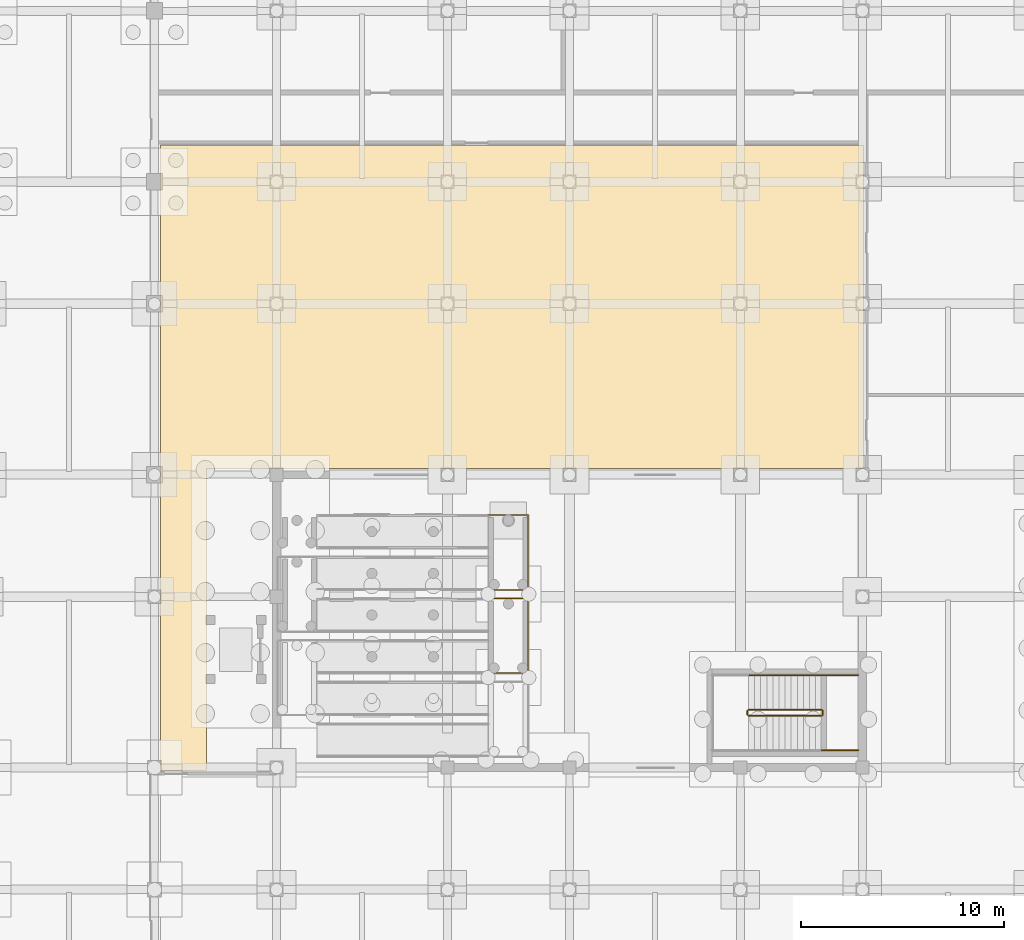
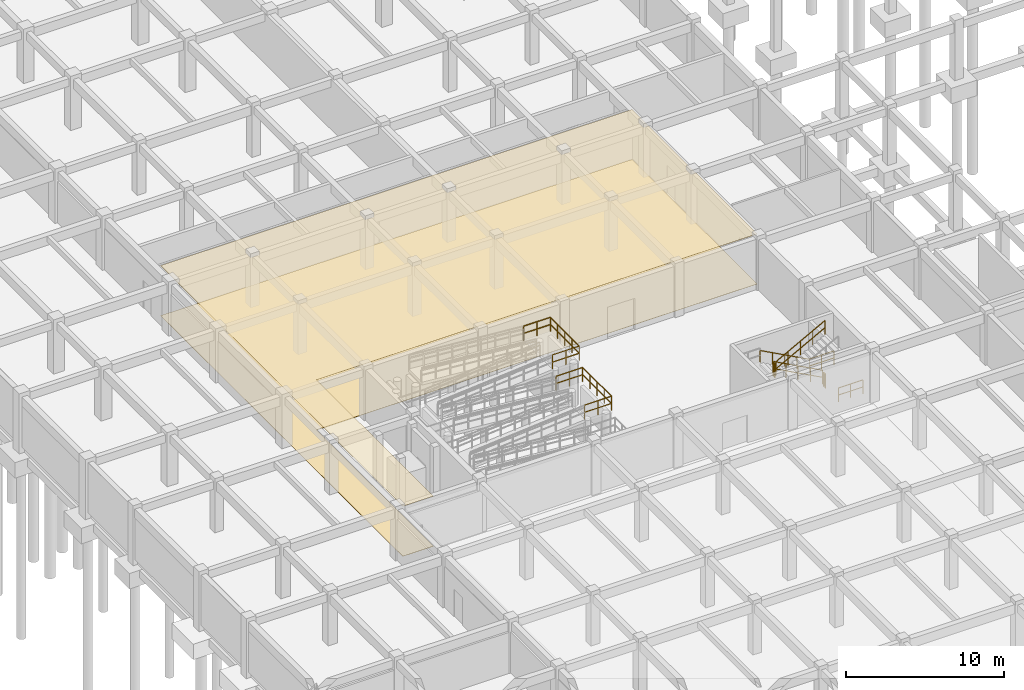
# One storey, part 36 of 40: 9 railings, 2 coverings.
"""IFC4 building model written with IfcOpenShell, lengths in metres."""

from ifc_helpers import new_model, si_unit, direction, frame, origin, origin_2d, place, context, subcontext, project, spatial, polyline, rectangle, outline, extrude, material, layer, layer_set, type_object, element, save


model = new_model("IFC4")

# Units and contexts
model_context = context("Model", 3, precision=1e-05, world=origin(), true_north=direction((0.0, 1.0)))
body_context = subcontext(model_context, "Body", "Model", "MODEL_VIEW")
ifc_project = project(units=[si_unit("LENGTHUNIT", "METRE"), si_unit("AREAUNIT", "SQUARE_METRE"), si_unit("VOLUMEUNIT", "CUBIC_METRE"), si_unit("PLANEANGLEUNIT", "RADIAN"), si_unit("MASSUNIT", "GRAM", prefix="KILO"), si_unit("THERMODYNAMICTEMPERATUREUNIT", "KELVIN")], contexts=[model_context])

# Site, building, storey
site_placement = place(None, origin())
site = spatial("IfcSite", under=ifc_project, at=site_placement, CompositionType="ELEMENT")
building_placement = place(site_placement, origin())
building = spatial("IfcBuilding", under=site, at=building_placement, Name="Thalorik Housing Commons", CompositionType="ELEMENT")
storey_placement = place(building_placement, frame((0.0, 0.0, -4.199951171875)))
storey = spatial("IfcBuildingStorey", under=building, at=storey_placement, Name="B1", CompositionType="ELEMENT", Elevation=-4.199951171875)

# Coverings
ifc_material_1 = material(Name="Slatted timber acoustic hall baffle ceiling", Category="wood")
ifc_layer_1 = layer(ifc_material_1, 0.02197265625, Name="Slatted timber acoustic hall baffle ceiling", Category="wood")
ifc_layer_set_1 = layer_set([ifc_layer_1], Name="Slatted timber acoustic hall baffle ceiling")
covering_type_1 = type_object("IfcCoveringType", Name="ARC-COV-CEIL-03", PredefinedType="CEILING", material=ifc_layer_set_1)
covering_1_placement = place(storey_placement, frame((0.0, 0.0, 3.8779296875)))
element("IfcCovering", 1, at=covering_1_placement, inside=storey, type_object=covering_type_1, Name="B1 Metro Concourse Vestibule Suspended Ceiling", PredefinedType="CEILING", context=body_context, shape_type="SweptSolid", body=[
    extrude(outline(polyline([(57.64990234375, 72.300048828125), (57.64990234375, 88.199951171875), (23.10009765625, 88.199951171875), (23.10009765625, 57.449951171875), (25.35009765625, 57.449951171875), (25.35009765625, 72.300048828125), (57.64990234375, 72.300048828125)])), origin(), (0.0, 0.0, 1.0), 0.02197265625),
])
ifc_material_2 = material(Name="Cushioned natural linoleum nursery playroom flooring")
ifc_layer_2 = layer(ifc_material_2, 0.02001953125, Name="Cushioned natural linoleum nursery playroom flooring")
ifc_layer_set_2 = layer_set([ifc_layer_2], Name="Cushioned natural linoleum nursery playroom flooring")
covering_type_2 = type_object("IfcCoveringType", Name="ARC-COV-FLR-03", PredefinedType="FLOORING", material=ifc_layer_set_2)
covering_2_placement = place(storey_placement, origin())
element("IfcCovering", 2, at=covering_2_placement, inside=storey, type_object=covering_type_2, Name="B1 Metro Concourse Vestibule Flooring", PredefinedType="FLOORING", context=body_context, shape_type="SweptSolid", body=[
    extrude(outline(polyline([(57.64990234375, 72.300048828125), (57.64990234375, 88.199951171875), (23.10009765625, 88.199951171875), (23.10009765625, 57.449951171875), (25.35009765625, 57.449951171875), (25.35009765625, 72.300048828125), (57.64990234375, 72.300048828125)])), origin(), (0.0, 0.0, 1.0), 0.02001953125),
])

# Railings
ifc_material_3 = material(Name="Steel S355", Category="steel")
railing_type_1 = type_object("IfcRailingType", Name="ARC-RL-STR-GRD110", PredefinedType="GUARDRAIL", material=ifc_material_3)
railing_1_placement = place(storey_placement, frame((55.60009765625, 60.449951171875, 0.161376953125)))
element("IfcRailing", 3, at=railing_1_placement, inside=storey, type_object=railing_type_1, Name="B1 ST-M1 stair guard 1", PredefinedType="GUARDRAIL", context=body_context, shape_type="SweptSolid", body=[
    extrude(rectangle(XDim=0.048095703125, YDim=0.048095703125, at=origin_2d()), frame((0.0, 0.0, 1.076171875), z_axis=(-0.880474934443, 0.0, 0.474092701714), x_axis=(0.0, -1.0, 0.0)), (0.0, 0.0, 1.0), 4.0888671875),
    extrude(rectangle(XDim=0.048095703125, YDim=0.048095703125, at=origin_2d()), frame((0.0, 0.0, 0.52587890625), z_axis=(-0.880474934443, 0.0, 0.474092701714), x_axis=(0.0, -1.0, 0.0)), (0.0, 0.0, 1.0), 4.0888671875),
    extrude(rectangle(XDim=0.0419921875, YDim=0.0419921875, at=origin_2d()), origin(), (0.0, 0.0, 1.0), 1.052001953125),
    extrude(rectangle(XDim=0.0419921875, YDim=0.0419921875, at=origin_2d()), frame((-0.89990234375, 0.0, 0.484619140625)), (0.0, 0.0, 1.0), 1.052001953125),
    extrude(rectangle(XDim=0.0419921875, YDim=0.0419921875, at=origin_2d()), frame((-1.800048828125, 0.0, 0.96923828125)), (0.0, 0.0, 1.0), 1.052001953125),
    extrude(rectangle(XDim=0.0419921875, YDim=0.0419921875, at=origin_2d()), frame((-2.7001953125, 0.0, 1.453857421875)), (0.0, 0.0, 1.0), 1.052001953125),
    extrude(rectangle(XDim=0.0419921875, YDim=0.0419921875, at=origin_2d()), frame((-3.60009765625, 0.0, 1.9384765625)), (0.0, 0.0, 1.0), 1.052001953125),
])
railing_2_placement = place(storey_placement, frame((51.949951171875, 60.39990234375, 2.099853515625)))
element("IfcRailing", 4, at=railing_2_placement, inside=storey, type_object=railing_type_1, Name="B1 ST-M1 stair guard 2", PredefinedType="GUARDRAIL", context=body_context, shape_type="SweptSolid", body=[
    extrude(rectangle(XDim=0.048095703125, YDim=0.048095703125, at=origin_2d()), frame((0.0, 0.0, 1.076171875), z_axis=(0.0, -1.0, 0.0), x_axis=(1.0, 0.0, 0.0)), (0.0, 0.0, 1.0), 0.199951171875),
    extrude(rectangle(XDim=0.048095703125, YDim=0.048095703125, at=origin_2d()), frame((0.0, 0.0, 0.52587890625), z_axis=(0.0, -1.0, 0.0), x_axis=(1.0, 0.0, 0.0)), (0.0, 0.0, 1.0), 0.199951171875),
    extrude(rectangle(XDim=0.0419921875, YDim=0.0419921875, at=origin_2d()), origin(), (0.0, 0.0, 1.0), 1.052001953125),
    extrude(rectangle(XDim=0.0419921875, YDim=0.0419921875, at=origin_2d()), frame((0.0, -0.199951171875, 0.0)), (0.0, 0.0, 1.0), 1.052001953125),
])
railing_3_placement = place(storey_placement, frame((52.0, 60.14990234375, 2.261474609375)))
element("IfcRailing", 5, at=railing_3_placement, inside=storey, type_object=railing_type_1, Name="B1 ST-M1 stair guard 6", PredefinedType="GUARDRAIL", context=body_context, shape_type="SweptSolid", body=[
    extrude(rectangle(XDim=0.048095703125, YDim=0.048095703125, at=origin_2d()), frame((0.0, 0.0, 1.076171875), z_axis=(0.880474934443, 0.0, 0.474092701714), x_axis=(0.0, 1.0, 0.0)), (0.0, 0.0, 1.0), 4.0888671875),
    extrude(rectangle(XDim=0.048095703125, YDim=0.048095703125, at=origin_2d()), frame((0.0, 0.0, 0.52587890625), z_axis=(0.880474934443, 0.0, 0.474092701714), x_axis=(0.0, 1.0, 0.0)), (0.0, 0.0, 1.0), 4.0888671875),
    extrude(rectangle(XDim=0.0419921875, YDim=0.0419921875, at=origin_2d()), origin(), (0.0, 0.0, 1.0), 1.052001953125),
    extrude(rectangle(XDim=0.0419921875, YDim=0.0419921875, at=origin_2d()), frame((0.89990234375, 0.0, 0.484619140625)), (0.0, 0.0, 1.0), 1.052001953125),
    extrude(rectangle(XDim=0.0419921875, YDim=0.0419921875, at=origin_2d()), frame((1.800048828125, 0.0, 0.96923828125)), (0.0, 0.0, 1.0), 1.052001953125),
    extrude(rectangle(XDim=0.0419921875, YDim=0.0419921875, at=origin_2d()), frame((2.7001953125, 0.0, 1.453857421875)), (0.0, 0.0, 1.0), 1.052001953125),
    extrude(rectangle(XDim=0.0419921875, YDim=0.0419921875, at=origin_2d()), frame((3.60009765625, 0.0, 1.9384765625)), (0.0, 0.0, 1.0), 1.052001953125),
])
railing_4_placement = place(storey_placement, frame((55.64990234375, 60.39990234375, 0.0)))
element("IfcRailing", 6, at=railing_4_placement, inside=storey, type_object=railing_type_1, Name="B1 ST-M1 stair guard 7", PredefinedType="GUARDRAIL", context=body_context, shape_type="SweptSolid", body=[
    extrude(rectangle(XDim=0.048095703125, YDim=0.048095703125, at=origin_2d()), frame((0.0, 0.0, 1.076171875), z_axis=(0.0, -1.0, 0.0), x_axis=(1.0, 0.0, 0.0)), (0.0, 0.0, 1.0), 0.199951171875),
    extrude(rectangle(XDim=0.048095703125, YDim=0.048095703125, at=origin_2d()), frame((0.0, 0.0, 0.52587890625), z_axis=(0.0, -1.0, 0.0), x_axis=(1.0, 0.0, 0.0)), (0.0, 0.0, 1.0), 0.199951171875),
    extrude(rectangle(XDim=0.0419921875, YDim=0.0419921875, at=origin_2d()), origin(), (0.0, 0.0, 1.0), 1.052001953125),
    extrude(rectangle(XDim=0.0419921875, YDim=0.0419921875, at=origin_2d()), frame((0.0, -0.199951171875, 0.0)), (0.0, 0.0, 1.0), 1.052001953125),
])
for number, where, name in (
    (7, (57.39990234375, 62.14990234375, 0.0), "B1 ST-M1 stair guard 8"),
    (8, (57.39990234375, 58.449951171875, 0.0), "B1 ST-M1 stair guard 9"),
):
    element("IfcRailing", number, at=place(storey_placement, frame(where)), inside=storey, type_object=railing_type_1, Name=name, PredefinedType="GUARDRAIL", context=body_context, shape_type="SweptSolid", body=[
        extrude(rectangle(XDim=0.048095703125, YDim=0.048095703125, at=origin_2d()), frame((0.0, 0.0, 1.076171875), z_axis=(-1.0, 0.0, 0.0), x_axis=(0.0, -1.0, 0.0)), (0.0, 0.0, 1.0), 1.7998046875),
        extrude(rectangle(XDim=0.048095703125, YDim=0.048095703125, at=origin_2d()), frame((0.0, 0.0, 0.52587890625), z_axis=(-1.0, 0.0, 0.0), x_axis=(0.0, -1.0, 0.0)), (0.0, 0.0, 1.0), 1.7998046875),
        extrude(rectangle(XDim=0.0419921875, YDim=0.0419921875, at=origin_2d()), origin(), (0.0, 0.0, 1.0), 1.052001953125),
        extrude(rectangle(XDim=0.0419921875, YDim=0.0419921875, at=origin_2d()), frame((-0.89990234375, 0.0, 0.0)), (0.0, 0.0, 1.0), 1.052001953125),
        extrude(rectangle(XDim=0.0419921875, YDim=0.0419921875, at=origin_2d()), frame((-1.7998046875, 0.0, 0.0)), (0.0, 0.0, 1.0), 1.052001953125),
    ])
railing_type_2 = type_object("IfcRailingType", Name="ARC-RL-STR-HR092", PredefinedType="HANDRAIL", material=ifc_material_3)
railing_5_placement = place(storey_placement, frame((55.60009765625, 62.14990234375, 0.161376953125)))
element("IfcRailing", 9, at=railing_5_placement, inside=storey, type_object=railing_type_2, Name="B1 ST-M1 stair handrail 1", PredefinedType="HANDRAIL", context=body_context, shape_type="SweptSolid", body=[
    extrude(rectangle(XDim=0.048095703125, YDim=0.048095703125, at=origin_2d()), frame((0.0, 0.0, 0.89599609375), z_axis=(-0.880474934443, 0.0, 0.474092701714), x_axis=(0.0, -1.0, 0.0)), (0.0, 0.0, 1.0), 4.0888671875),
    extrude(rectangle(XDim=0.0419921875, YDim=0.0419921875, at=origin_2d()), origin(), (0.0, 0.0, 1.0), 0.871826171875),
    extrude(rectangle(XDim=0.0419921875, YDim=0.0419921875, at=origin_2d()), frame((-0.89990234375, 0.0, 0.484619140625)), (0.0, 0.0, 1.0), 0.871826171875),
    extrude(rectangle(XDim=0.0419921875, YDim=0.0419921875, at=origin_2d()), frame((-1.800048828125, 0.0, 0.96923828125)), (0.0, 0.0, 1.0), 0.871826171875),
    extrude(rectangle(XDim=0.0419921875, YDim=0.0419921875, at=origin_2d()), frame((-2.7001953125, 0.0, 1.453857421875)), (0.0, 0.0, 1.0), 0.871826171875),
    extrude(rectangle(XDim=0.0419921875, YDim=0.0419921875, at=origin_2d()), frame((-3.60009765625, 0.0, 1.9384765625)), (0.0, 0.0, 1.0), 0.871826171875),
])
railing_type_3 = type_object("IfcRailingType", Name="ARC-RL-VOID-112", PredefinedType="GUARDRAIL", material=ifc_material_3)
railing_6_placement = place(storey_placement, frame((39.199951171875, 62.239990234375, 2.099853515625)))
element("IfcRailing", 10, at=railing_6_placement, inside=storey, type_object=railing_type_3, Name="Metro Ramp Landing 3 Guardrail", PredefinedType="GUARDRAIL", context=body_context, shape_type="SweptSolid", body=[
    extrude(rectangle(XDim=0.048095703125, YDim=0.048095703125, at=origin_2d()), frame((0.0, 0.0, 1.09619140625), z_axis=(1.0, 0.0, 0.0), x_axis=(0.0, 1.0, 0.0)), (0.0, 0.0, 1.0), 1.9599609375),
    extrude(rectangle(XDim=0.048095703125, YDim=0.048095703125, at=origin_2d()), frame((0.0, 0.0, 0.5361328125), z_axis=(1.0, 0.0, 0.0), x_axis=(0.0, 1.0, 0.0)), (0.0, 0.0, 1.0), 1.9599609375),
    extrude(rectangle(XDim=0.048095703125, YDim=0.048095703125, at=origin_2d()), frame((1.9599609375, 0.0, 1.09619140625), z_axis=(0.0, 1.0, 0.0), x_axis=(-1.0, 0.0, 0.0)), (0.0, 0.0, 1.0), 3.669921875),
    extrude(rectangle(XDim=0.048095703125, YDim=0.048095703125, at=origin_2d()), frame((1.9599609375, 0.0, 0.5361328125), z_axis=(0.0, 1.0, 0.0), x_axis=(-1.0, 0.0, 0.0)), (0.0, 0.0, 1.0), 3.669921875),
    extrude(rectangle(XDim=0.048095703125, YDim=0.048095703125, at=origin_2d()), frame((1.9599609375, 3.669921875, 1.09619140625), z_axis=(-1.0, 0.0, 0.0), x_axis=(0.0, -1.0, 0.0)), (0.0, 0.0, 1.0), 1.9599609375),
    extrude(rectangle(XDim=0.048095703125, YDim=0.048095703125, at=origin_2d()), frame((1.9599609375, 3.669921875, 0.5361328125), z_axis=(-1.0, 0.0, 0.0), x_axis=(0.0, -1.0, 0.0)), (0.0, 0.0, 1.0), 1.9599609375),
    extrude(rectangle(XDim=0.0419921875, YDim=0.0419921875, at=origin_2d()), origin(), (0.0, 0.0, 1.0), 1.072021484375),
    extrude(rectangle(XDim=0.0419921875, YDim=0.0419921875, at=origin_2d()), frame((0.97998046875, 0.0, 0.0)), (0.0, 0.0, 1.0), 1.072021484375),
    extrude(rectangle(XDim=0.0419921875, YDim=0.0419921875, at=origin_2d()), frame((1.9599609375, 0.0, 0.0)), (0.0, 0.0, 1.0), 1.072021484375),
    extrude(rectangle(XDim=0.0419921875, YDim=0.0419921875, at=origin_2d()), frame((1.9599609375, 0.91748046875, 0.0)), (0.0, 0.0, 1.0), 1.072021484375),
    extrude(rectangle(XDim=0.0419921875, YDim=0.0419921875, at=origin_2d()), frame((1.9599609375, 1.8349609375, 0.0)), (0.0, 0.0, 1.0), 1.072021484375),
    extrude(rectangle(XDim=0.0419921875, YDim=0.0419921875, at=origin_2d()), frame((1.9599609375, 2.75244140625, 0.0)), (0.0, 0.0, 1.0), 1.072021484375),
    extrude(rectangle(XDim=0.0419921875, YDim=0.0419921875, at=origin_2d()), frame((1.9599609375, 3.669921875, 0.0)), (0.0, 0.0, 1.0), 1.072021484375),
    extrude(rectangle(XDim=0.0419921875, YDim=0.0419921875, at=origin_2d()), frame((0.97998046875, 3.669921875, 0.0)), (0.0, 0.0, 1.0), 1.072021484375),
    extrude(rectangle(XDim=0.0419921875, YDim=0.0419921875, at=origin_2d()), frame((0.0, 3.669921875, 0.0)), (0.0, 0.0, 1.0), 1.072021484375),
])
railing_7_placement = place(storey_placement, frame((39.199951171875, 66.340087890625, 3.5)))
element("IfcRailing", 11, at=railing_7_placement, inside=storey, type_object=railing_type_3, Name="Metro Ramp Landing 5 Guardrail", PredefinedType="GUARDRAIL", context=body_context, shape_type="SweptSolid", body=[
    extrude(rectangle(XDim=0.048095703125, YDim=0.048095703125, at=origin_2d()), frame((0.0, 0.0, 1.09619140625), z_axis=(1.0, 0.0, 0.0), x_axis=(0.0, 1.0, 0.0)), (0.0, 0.0, 1.0), 1.9599609375),
    extrude(rectangle(XDim=0.048095703125, YDim=0.048095703125, at=origin_2d()), frame((0.0, 0.0, 0.5361328125), z_axis=(1.0, 0.0, 0.0), x_axis=(0.0, 1.0, 0.0)), (0.0, 0.0, 1.0), 1.9599609375),
    extrude(rectangle(XDim=0.048095703125, YDim=0.048095703125, at=origin_2d()), frame((1.9599609375, 0.0, 1.09619140625), z_axis=(0.0, 1.0, 0.0), x_axis=(-1.0, 0.0, 0.0)), (0.0, 0.0, 1.0), 3.669921875),
    extrude(rectangle(XDim=0.048095703125, YDim=0.048095703125, at=origin_2d()), frame((1.9599609375, 0.0, 0.5361328125), z_axis=(0.0, 1.0, 0.0), x_axis=(-1.0, 0.0, 0.0)), (0.0, 0.0, 1.0), 3.669921875),
    extrude(rectangle(XDim=0.048095703125, YDim=0.048095703125, at=origin_2d()), frame((1.9599609375, 3.669921875, 1.09619140625), z_axis=(-1.0, 0.0, 0.0), x_axis=(0.0, -1.0, 0.0)), (0.0, 0.0, 1.0), 1.9599609375),
    extrude(rectangle(XDim=0.048095703125, YDim=0.048095703125, at=origin_2d()), frame((1.9599609375, 3.669921875, 0.5361328125), z_axis=(-1.0, 0.0, 0.0), x_axis=(0.0, -1.0, 0.0)), (0.0, 0.0, 1.0), 1.9599609375),
    extrude(rectangle(XDim=0.0419921875, YDim=0.0419921875, at=origin_2d()), origin(), (0.0, 0.0, 1.0), 1.072021484375),
    extrude(rectangle(XDim=0.0419921875, YDim=0.0419921875, at=origin_2d()), frame((0.97998046875, 0.0, 0.0)), (0.0, 0.0, 1.0), 1.072021484375),
    extrude(rectangle(XDim=0.0419921875, YDim=0.0419921875, at=origin_2d()), frame((1.9599609375, 0.0, 0.0)), (0.0, 0.0, 1.0), 1.072021484375),
    extrude(rectangle(XDim=0.0419921875, YDim=0.0419921875, at=origin_2d()), frame((1.9599609375, 0.91748046875, 0.0)), (0.0, 0.0, 1.0), 1.072021484375),
    extrude(rectangle(XDim=0.0419921875, YDim=0.0419921875, at=origin_2d()), frame((1.9599609375, 1.8349609375, 0.0)), (0.0, 0.0, 1.0), 1.072021484375),
    extrude(rectangle(XDim=0.0419921875, YDim=0.0419921875, at=origin_2d()), frame((1.9599609375, 2.75244140625, 0.0)), (0.0, 0.0, 1.0), 1.072021484375),
    extrude(rectangle(XDim=0.0419921875, YDim=0.0419921875, at=origin_2d()), frame((1.9599609375, 3.669921875, 0.0)), (0.0, 0.0, 1.0), 1.072021484375),
    extrude(rectangle(XDim=0.0419921875, YDim=0.0419921875, at=origin_2d()), frame((0.97998046875, 3.669921875, 0.0)), (0.0, 0.0, 1.0), 1.072021484375),
    extrude(rectangle(XDim=0.0419921875, YDim=0.0419921875, at=origin_2d()), frame((0.0, 3.669921875, 0.0)), (0.0, 0.0, 1.0), 1.072021484375),
])

save(model, "model.ifc")
